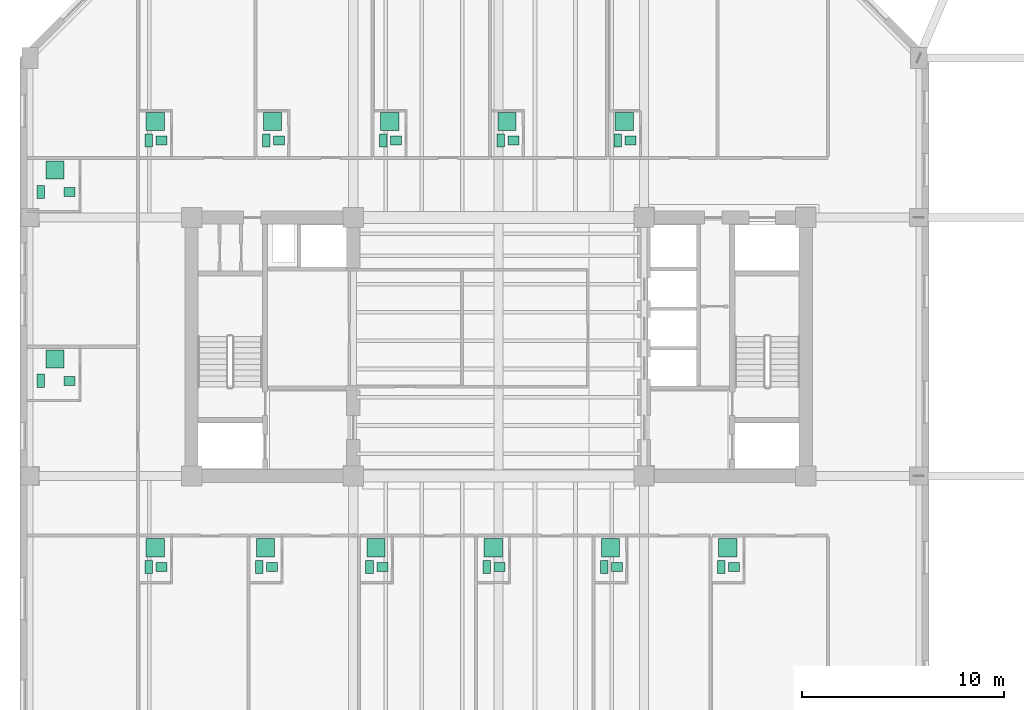
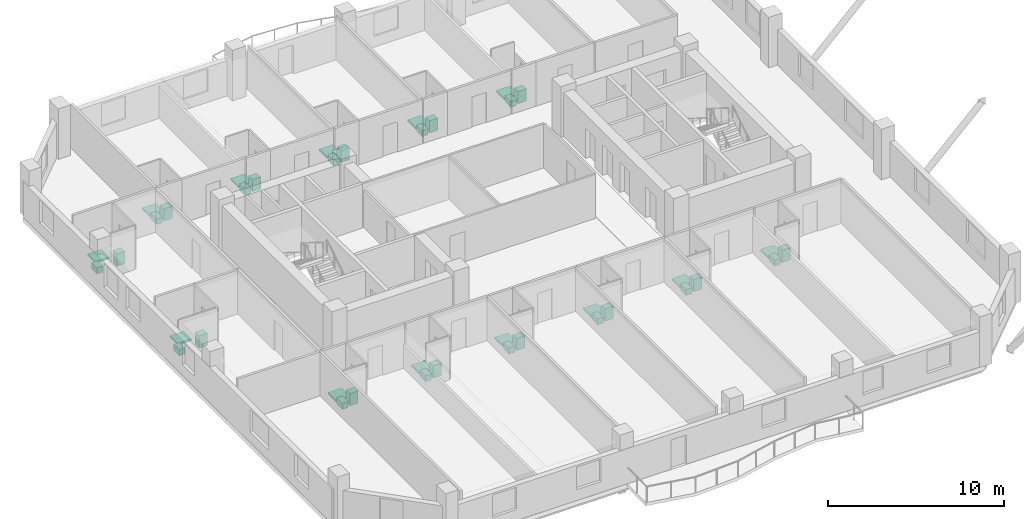
# One storey, part 14 of 14: 39 sanitary terminals.
"""IFC4 building model written with IfcOpenShell, lengths in metres."""

from ifc_helpers import new_model, si_unit, direction, frame, origin, origin_2d, place, context, subcontext, project, spatial, rectangle, extrude, material, type_object, element, save


model = new_model("IFC4")

# Units and contexts
model_context = context("Model", 3, precision=1e-05, world=origin(), true_north=direction((0.0, 1.0)))
body_context = subcontext(model_context, "Body", "Model", "MODEL_VIEW")
ifc_project = project(units=[si_unit("LENGTHUNIT", "METRE"), si_unit("AREAUNIT", "SQUARE_METRE"), si_unit("VOLUMEUNIT", "CUBIC_METRE"), si_unit("PLANEANGLEUNIT", "RADIAN"), si_unit("MASSUNIT", "GRAM", prefix="KILO")], contexts=[model_context])

# Site, building, storey
site_placement = place(None, origin())
site = spatial("IfcSite", under=ifc_project, at=site_placement, CompositionType="ELEMENT")
building_placement = place(site_placement, origin())
building = spatial("IfcBuilding", under=site, at=building_placement, Name="Kranthara Brick Stack", CompositionType="ELEMENT")
storey_placement = place(building_placement, frame((0.0, 0.0, 137.800048828125)))
storey = spatial("IfcBuildingStorey", under=building, at=storey_placement, Name="L34", CompositionType="ELEMENT", Elevation=137.800048828125)

# Sanitary terminals
ifc_material_1 = material(Name="Vitreous china sanitary porcelain", Category="other")
sanitary_terminal_type_1 = type_object("IfcSanitaryTerminalType", Name="SAN-BASIN", PredefinedType="WASHHANDBASIN", material=ifc_material_1)
for number, where, z_axis, x_axis, name in (
    (1, (11.31005859375, 16.294921875, 0.0), (0.0, 0.0, 1.0), (1.0, 0.0, 0.0), "L34 Washbasin 135"),
    (2, (16.77392578125, 16.294921875, 0.0), (0.0, 0.0, 1.0), (1.0, 0.0, 0.0), "L34 Washbasin 136"),
    (3, (22.238037109375, 16.294921875, 0.0), (0.0, 0.0, 1.0), (1.0, 0.0, 0.0), "L34 Washbasin 137"),
    (4, (28.04296875, 16.294921875, 0.0), (0.0, 0.0, 1.0), (1.0, 0.0, 0.0), "L34 Washbasin 138"),
    (5, (33.84912109375, 16.294921875, 0.0), (0.0, 0.0, 1.0), (1.0, 0.0, 0.0), "L34 Washbasin 139"),
    (6, (39.654052734375, 16.294921875, 0.0), (0.0, 0.0, 1.0), (1.0, 0.0, 0.0), "L34 Washbasin 140"),
    (7, (11.31005859375, 37.405029296875, 0.0), (0.0, 0.0, 1.0), (1.0, 0.0, 0.0), "L34 Washbasin 141"),
    (8, (17.115966796875, 37.405029296875, 0.0), (0.0, 0.0, 1.0), (1.0, 0.0, 0.0), "L34 Washbasin 142"),
    (9, (22.9208984375, 37.405029296875, 0.0), (0.0, 0.0, 1.0), (1.0, 0.0, 0.0), "L34 Washbasin 143"),
    (10, (28.72607421875, 37.405029296875, 0.0), (0.0, 0.0, 1.0), (1.0, 0.0, 0.0), "L34 Washbasin 144"),
    (11, (34.531982421875, 37.405029296875, 0.0), (0.0, 0.0, 1.0), (1.0, 0.0, 0.0), "L34 Washbasin 145"),
    (12, (6.760009765625, 25.514892578125, 0.0), (0.0, 0.0, 1.0), (1.0, 0.0, 0.0), "L34 Washbasin 146"),
    (13, (6.760009765625, 34.864990234375, 0.0), (0.0, 0.0, 1.0), (1.0, 0.0, 0.0), "L34 Washbasin 147"),
):
    element("IfcSanitaryTerminal", number, at=place(storey_placement, frame(where, z_axis=z_axis, x_axis=x_axis)), inside=storey, type_object=sanitary_terminal_type_1, Name=name, PredefinedType="WASHHANDBASIN", context=body_context, shape_type="SweptSolid", body=[
        extrude(rectangle(XDim=0.550048828125, YDim=0.449951171875, at=origin_2d()), origin(), (0.0, 0.0, 1.0), 0.85009765625),
    ])
ifc_material_2 = material(Name="Acrylic and porcelain shower tray", Category="other")
sanitary_terminal_type_2 = type_object("IfcSanitaryTerminalType", Name="SAN-SHOWER", PredefinedType="SHOWER", material=ifc_material_2)
for number, where, z_axis, x_axis, name in (
    (14, (10.9951171875, 17.25, 0.0), (0.0, 0.0, 1.0), (1.0, 0.0, 0.0), "L34 Shower Tray 135"),
    (15, (16.458984375, 17.25, 0.0), (0.0, 0.0, 1.0), (1.0, 0.0, 0.0), "L34 Shower Tray 136"),
    (16, (21.923095703125, 17.25, 0.0), (0.0, 0.0, 1.0), (1.0, 0.0, 0.0), "L34 Shower Tray 137"),
    (17, (27.72802734375, 17.25, 0.0), (0.0, 0.0, 1.0), (1.0, 0.0, 0.0), "L34 Shower Tray 138"),
    (18, (33.533935546875, 17.25, 0.0), (0.0, 0.0, 1.0), (1.0, 0.0, 0.0), "L34 Shower Tray 139"),
    (19, (39.339111328125, 17.25, 0.0), (0.0, 0.0, 1.0), (1.0, 0.0, 0.0), "L34 Shower Tray 140"),
    (20, (10.9951171875, 38.360107421875, 0.0), (0.0, 0.0, 1.0), (1.0, 0.0, 0.0), "L34 Shower Tray 141"),
    (21, (16.801025390625, 38.360107421875, 0.0), (0.0, 0.0, 1.0), (1.0, 0.0, 0.0), "L34 Shower Tray 142"),
    (22, (22.60595703125, 38.360107421875, 0.0), (0.0, 0.0, 1.0), (1.0, 0.0, 0.0), "L34 Shower Tray 143"),
    (23, (28.410888671875, 38.360107421875, 0.0), (0.0, 0.0, 1.0), (1.0, 0.0, 0.0), "L34 Shower Tray 144"),
    (24, (34.217041015625, 38.360107421875, 0.0), (0.0, 0.0, 1.0), (1.0, 0.0, 0.0), "L34 Shower Tray 145"),
    (25, (6.0400390625, 26.60009765625, 0.0), (0.0, 0.0, 1.0), (1.0, 0.0, 0.0), "L34 Shower Tray 146"),
    (26, (6.0400390625, 35.949951171875, 0.0), (0.0, 0.0, 1.0), (1.0, 0.0, 0.0), "L34 Shower Tray 147"),
):
    element("IfcSanitaryTerminal", number, at=place(storey_placement, frame(where, z_axis=z_axis, x_axis=x_axis)), inside=storey, type_object=sanitary_terminal_type_2, Name=name, PredefinedType="SHOWER", context=body_context, shape_type="SweptSolid", body=[
        extrude(rectangle(XDim=0.89990234375, YDim=0.89990234375, at=origin_2d()), origin(), (0.0, 0.0, 1.0), 0.1201171875),
    ])
ifc_material_3 = material(Name="Vitreous china sanitary porcelain", Category="other")
sanitary_terminal_type_3 = type_object("IfcSanitaryTerminalType", Name="SAN-WC-PAN", PredefinedType="TOILETPAN", material=ifc_material_3)
for number, where, z_axis, x_axis, name in (
    (27, (10.679931640625, 16.294921875, 0.0), (0.0, 0.0, 1.0), (1.0, 0.0, 0.0), "L34 WC Pan 135"),
    (28, (16.14404296875, 16.294921875, 0.0), (0.0, 0.0, 1.0), (1.0, 0.0, 0.0), "L34 WC Pan 136"),
    (29, (21.60791015625, 16.294921875, 0.0), (0.0, 0.0, 1.0), (1.0, 0.0, 0.0), "L34 WC Pan 137"),
    (30, (27.4130859375, 16.294921875, 0.0), (0.0, 0.0, 1.0), (1.0, 0.0, 0.0), "L34 WC Pan 138"),
    (31, (33.218994140625, 16.294921875, 0.0), (0.0, 0.0, 1.0), (1.0, 0.0, 0.0), "L34 WC Pan 139"),
    (32, (39.02392578125, 16.294921875, 0.0), (0.0, 0.0, 1.0), (1.0, 0.0, 0.0), "L34 WC Pan 140"),
    (33, (10.679931640625, 37.405029296875, 0.0), (0.0, 0.0, 1.0), (1.0, 0.0, 0.0), "L34 WC Pan 141"),
    (34, (16.486083984375, 37.405029296875, 0.0), (0.0, 0.0, 1.0), (1.0, 0.0, 0.0), "L34 WC Pan 142"),
    (35, (22.291015625, 37.405029296875, 0.0), (0.0, 0.0, 1.0), (1.0, 0.0, 0.0), "L34 WC Pan 143"),
    (36, (28.095947265625, 37.405029296875, 0.0), (0.0, 0.0, 1.0), (1.0, 0.0, 0.0), "L34 WC Pan 144"),
    (37, (33.902099609375, 37.405029296875, 0.0), (0.0, 0.0, 1.0), (1.0, 0.0, 0.0), "L34 WC Pan 145"),
    (38, (5.320068359375, 25.514892578125, 0.0), (0.0, 0.0, 1.0), (1.0, 0.0, 0.0), "L34 WC Pan 146"),
    (39, (5.320068359375, 34.864990234375, 0.0), (0.0, 0.0, 1.0), (1.0, 0.0, 0.0), "L34 WC Pan 147"),
):
    element("IfcSanitaryTerminal", number, at=place(storey_placement, frame(where, z_axis=z_axis, x_axis=x_axis)), inside=storey, type_object=sanitary_terminal_type_3, Name=name, PredefinedType="TOILETPAN", context=body_context, shape_type="SweptSolid", body=[
        extrude(rectangle(XDim=0.3798828125, YDim=0.64990234375, at=origin_2d()), origin(), (0.0, 0.0, 1.0), 0.419921875),
    ])

save(model, "model.ifc")
